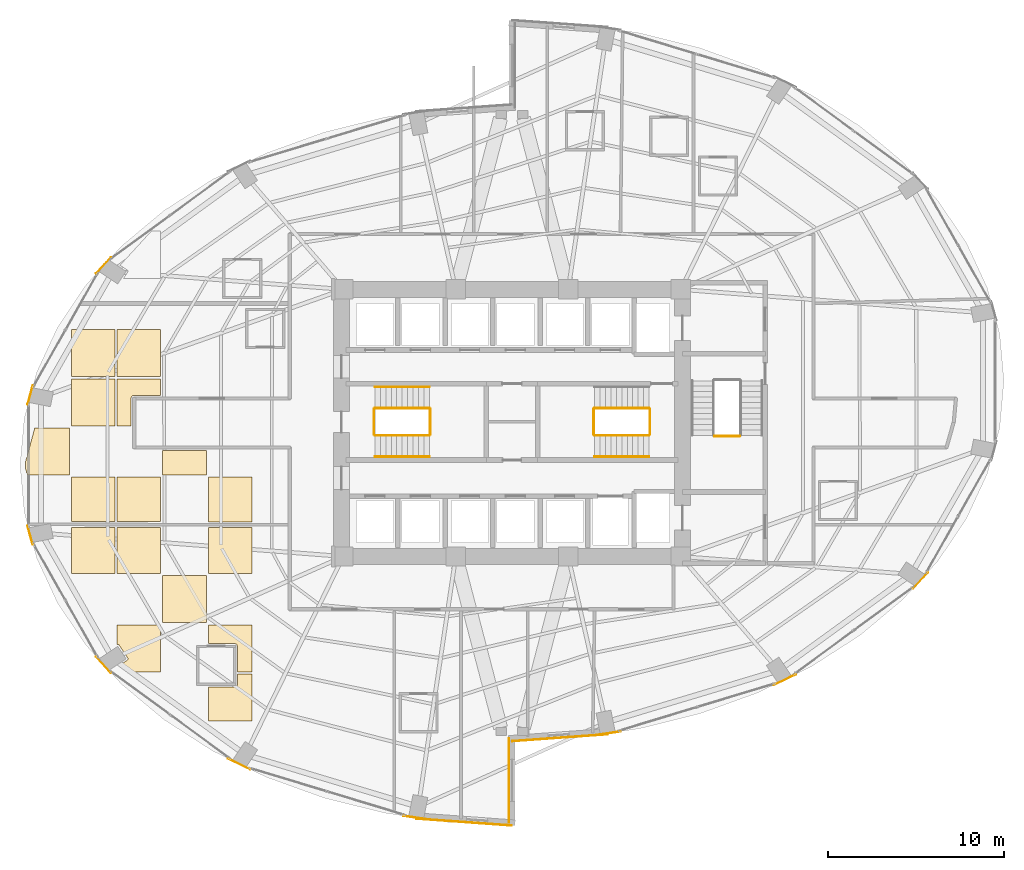
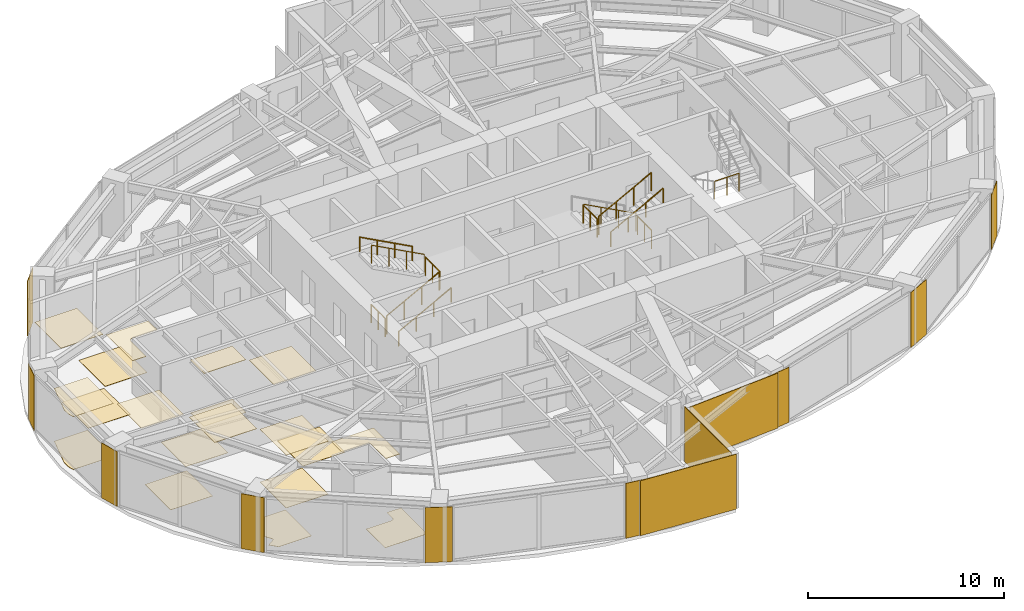
# One storey, part 24 of 25: 31 coverings, 12 railings.
"""IFC4 building model written with IfcOpenShell, lengths in metres."""

from ifc_helpers import new_model, si_unit, direction, frame, origin, origin_2d, place, context, subcontext, project, spatial, polyline, rectangle, circle, outline, extrude, material, layer, layer_set, type_object, element, save


model = new_model("IFC4")

# Units and contexts
model_context = context("Model", 3, precision=1e-05, world=origin(), true_north=direction((0.0, 1.0)))
body_context = subcontext(model_context, "Body", "Model", "MODEL_VIEW")
ifc_project = project(units=[si_unit("LENGTHUNIT", "METRE"), si_unit("AREAUNIT", "SQUARE_METRE"), si_unit("VOLUMEUNIT", "CUBIC_METRE"), si_unit("PLANEANGLEUNIT", "RADIAN"), si_unit("MASSUNIT", "GRAM", prefix="KILO")], contexts=[model_context])

# Site, building, storey
site_placement = place(None, origin())
site = spatial("IfcSite", under=ifc_project, at=site_placement, CompositionType="ELEMENT")
building_placement = place(site_placement, origin())
building = spatial("IfcBuilding", under=site, at=building_placement, Name="Lazwardi Medical Tower", CompositionType="ELEMENT")
storey_placement = place(building_placement, frame((0.0, 0.0, 32.49609375)))
storey = spatial("IfcBuildingStorey", under=building, at=storey_placement, Name="L07", CompositionType="ELEMENT", Elevation=32.49609375)

# Coverings
ifc_material_1 = material(Name="Anodised bronze aluminium cassette cladding", Category="aluminium")
ifc_layer_1 = layer(ifc_material_1, 0.030029296875)
ifc_layer_set_1 = layer_set([ifc_layer_1], Name="Anodised bronze aluminium cassette cladding")
covering_type_1 = type_object("IfcCoveringType", Name="COV-CLD-BRZ", PredefinedType="CLADDING", material=ifc_layer_set_1)
covering_1_placement = place(storey_placement, frame((41.454345703125, 10.33251953125, 0.0), z_axis=(0.0, 0.0, 1.0), x_axis=(0.98957259946, 0.144034962415, 0.0)))
element("IfcCovering", 1, at=covering_1_placement, inside=storey, type_object=covering_type_1, Name="L07 Mega-column bronze cassette cover M01", PredefinedType="CLADDING", context=body_context, shape_type="SweptSolid", body=[
    extrude(rectangle(XDim=1.49951171875, YDim=0.030029296875, at=origin_2d()), origin(), (0.0, 0.0, 1.0), 3.427978515625),
])
covering_2_placement = place(storey_placement, frame((51.532470703125, 13.3876953125, 0.0), z_axis=(0.0, 0.0, 1.0), x_axis=(0.898334492373, 0.439312121178, 0.0)))
element("IfcCovering", 2, at=covering_2_placement, inside=storey, type_object=covering_type_1, Name="L07 Mega-column bronze cassette cover M02", PredefinedType="CLADDING", context=body_context, shape_type="SweptSolid", body=[
    extrude(rectangle(XDim=1.400390625, YDim=0.030029296875, at=origin_2d()), origin(), (0.0, 0.0, 1.0), 3.427978515625),
])
for number, where, z_axis, x_axis, name in (
    (3, (59.24609375, 19.03271484375, 0.0), (0.0, 0.0, 1.0), (0.674252120961, 0.738501237223, 0.0), "L07 Mega-column bronze cassette cover M03"),
    (4, (12.75390625, 36.96728515625, 0.0), (0.0, 0.0, 1.0), (-0.674252120961, -0.738501237223, 0.0), "L07 Mega-column bronze cassette cover M11"),
):
    element("IfcCovering", number, at=place(storey_placement, frame(where, z_axis=z_axis, x_axis=x_axis)), inside=storey, type_object=covering_type_1, Name=name, PredefinedType="CLADDING", context=body_context, shape_type="SweptSolid", body=[
        extrude(rectangle(XDim=1.24658203125, YDim=0.030029296875, at=origin_2d()), origin(), (0.0, 0.0, 1.0), 3.427978515625),
    ])
for number, where, z_axis, x_axis, name in (
    (5, (8.579345703125, 29.591796875, 0.0), (0.0, 0.0, 1.0), (-0.262283496593, -0.964990863902, 0.0), "L07 Mega-column bronze cassette cover M12"),
    (6, (8.579345703125, 21.6083984375, 0.0), (0.0, 0.0, 1.0), (0.262283496593, -0.964990863902, 0.0), "L07 Mega-column bronze cassette cover M13"),
):
    element("IfcCovering", number, at=place(storey_placement, frame(where, z_axis=z_axis, x_axis=x_axis)), inside=storey, type_object=covering_type_1, Name=name, PredefinedType="CLADDING", context=body_context, shape_type="SweptSolid", body=[
        extrude(rectangle(XDim=1.12548828125, YDim=0.030029296875, at=origin_2d()), origin(), (0.0, 0.0, 1.0), 3.427978515625),
    ])
covering_3_placement = place(storey_placement, frame((12.75390625, 14.232666015625, 0.0), z_axis=(0.0, 0.0, 1.0), x_axis=(0.674252120961, -0.738501237223, 0.0)))
element("IfcCovering", 7, at=covering_3_placement, inside=storey, type_object=covering_type_1, Name="L07 Mega-column bronze cassette cover M14", PredefinedType="CLADDING", context=body_context, shape_type="SweptSolid", body=[
    extrude(rectangle(XDim=1.24658203125, YDim=0.030029296875, at=origin_2d()), origin(), (0.0, 0.0, 1.0), 3.427978515625),
])
covering_4_placement = place(storey_placement, frame((20.467529296875, 8.587646484375, 0.0), z_axis=(0.0, 0.0, 1.0), x_axis=(0.898334492373, -0.439312121178, 0.0)))
element("IfcCovering", 8, at=covering_4_placement, inside=storey, type_object=covering_type_1, Name="L07 Mega-column bronze cassette cover M15", PredefinedType="CLADDING", context=body_context, shape_type="SweptSolid", body=[
    extrude(rectangle(XDim=1.400390625, YDim=0.030029296875, at=origin_2d()), origin(), (0.0, 0.0, 1.0), 3.427978515625),
])
covering_5_placement = place(storey_placement, frame((30.545654296875, 5.53271484375, 0.0), z_axis=(0.0, 0.0, 1.0), x_axis=(0.98957259946, -0.144034962415, 0.0)))
element("IfcCovering", 9, at=covering_5_placement, inside=storey, type_object=covering_type_1, Name="L07 Mega-column bronze cassette cover M16", PredefinedType="CLADDING", context=body_context, shape_type="SweptSolid", body=[
    extrude(rectangle(XDim=1.49951171875, YDim=0.030029296875, at=origin_2d()), origin(), (0.0, 0.0, 1.0), 3.427978515625),
])
ifc_material_2 = material(Name="Turquoise glazed ceramic tilework cladding", Category="masonry")
ifc_layer_2 = layer(ifc_material_2, 0.034912109375)
ifc_layer_set_2 = layer_set([ifc_layer_2], Name="Turquoise glazed ceramic tilework cladding")
covering_type_2 = type_object("IfcCoveringType", Name="COV-CLD-TRQ", PredefinedType="CLADDING", material=ifc_layer_set_2)
covering_6_placement = place(storey_placement, frame((38.728271484375, 10.080322265625, 0.0), z_axis=(0.0, 0.0, 1.0), x_axis=(0.997421404513, 0.071767275412, 0.0)))
element("IfcCovering", 10, at=covering_6_placement, inside=storey, type_object=covering_type_2, Name="L07 Turquoise glazed ceramic tilework cladding", PredefinedType="CLADDING", context=body_context, shape_type="SweptSolid", body=[
    extrude(rectangle(XDim=5.4453125, YDim=0.034912109375, at=origin_2d()), origin(), (0.0, 0.0, 1.0), 3.427978515625),
])
covering_7_placement = place(storey_placement, frame((33.271484375, 5.280517578125, 0.0), z_axis=(0.0, 0.0, 1.0), x_axis=(0.997420903458, -0.071774238726, 0.0)))
element("IfcCovering", 11, at=covering_7_placement, inside=storey, type_object=covering_type_2, Name="L07 Turquoise glazed ceramic tilework cladding", PredefinedType="CLADDING", context=body_context, shape_type="SweptSolid", body=[
    extrude(rectangle(XDim=5.44482421875, YDim=0.034912109375, at=origin_2d()), origin(), (0.0, 0.0, 1.0), 3.427978515625),
])
covering_8_placement = place(storey_placement, frame((35.824462890625, 7.659912109375, 0.0), z_axis=(0.0, 0.0, 1.0), x_axis=(0.0, 1.0, 0.0)))
element("IfcCovering", 12, at=covering_8_placement, inside=storey, type_object=covering_type_2, Name="L07 Turquoise glazed ceramic tilework iwan panel", PredefinedType="CLADDING", context=body_context, shape_type="SweptSolid", body=[
    extrude(rectangle(XDim=4.800048828125, YDim=0.034912109375, at=origin_2d()), origin(), (0.0, 0.0, 1.0), 3.427978515625),
])
ifc_material_3 = material(Name="Acoustic mineral fibre tile")
ifc_layer_3 = layer(ifc_material_3, 0.02490234375)
ifc_layer_set_3 = layer_set([ifc_layer_3], Name="Acoustic mineral fibre tile")
covering_type_3 = type_object("IfcCoveringType", Name="COV-CLG-01", PredefinedType="CEILING", material=ifc_layer_set_3)
covering_9_placement = place(storey_placement, frame((0.0, 0.0, 3.282958984375)))
element("IfcCovering", 13, at=covering_9_placement, inside=storey, type_object=covering_type_3, Name="L07 Clinical Acoustic Ceiling 1", PredefinedType="CEILING", context=body_context, shape_type="SweptSolid", body=[
    extrude(outline(polyline([(8.838134765625, 27.71240234375), (8.322998046875, 25.8203125), (8.322998046875, 25.379638671875), (8.41748046875, 25.032470703125), (10.802978515625, 25.032470703125), (10.802978515625, 27.71240234375), (8.838134765625, 27.71240234375)])), origin(), (0.0, 0.0, 1.0), 0.02490234375),
])
covering_10_placement = place(storey_placement, frame((0.0, 0.0, 3.282958984375)))
element("IfcCovering", 14, at=covering_10_placement, inside=storey, type_object=covering_type_3, Name="L07 Clinical Acoustic Ceiling 2", PredefinedType="CEILING", context=body_context, shape_type="SweptSolid", body=[
    extrude(outline(polyline([(10.9228515625, 22.391357421875), (13.40283203125, 22.385986328125), (13.40283203125, 24.91259765625), (10.9228515625, 24.91259765625), (10.9228515625, 22.391357421875)])), origin(), (0.0, 0.0, 1.0), 0.02490234375),
])
covering_11_placement = place(storey_placement, frame((0.0, 0.0, 3.282958984375)))
element("IfcCovering", 15, at=covering_11_placement, inside=storey, type_object=covering_type_3, Name="L07 Clinical Acoustic Ceiling 3", PredefinedType="CEILING", context=body_context, shape_type="SweptSolid", body=[
    extrude(outline(polyline([(13.40283203125, 30.632568359375), (13.40283203125, 33.3125), (10.9228515625, 33.3125), (10.9228515625, 30.632568359375), (13.40283203125, 30.632568359375)])), origin(), (0.0, 0.0, 1.0), 0.02490234375),
])
covering_12_placement = place(storey_placement, frame((0.0, 0.0, 3.282958984375)))
element("IfcCovering", 16, at=covering_12_placement, inside=storey, type_object=covering_type_3, Name="L07 Clinical Acoustic Ceiling 4", PredefinedType="CEILING", context=body_context, shape_type="SweptSolid", body=[
    extrude(outline(polyline([(16.0029296875, 22.050537109375), (13.52294921875, 22.055908203125), (13.52294921875, 19.4326171875), (16.0029296875, 19.4326171875), (16.0029296875, 22.050537109375)])), origin(), (0.0, 0.0, 1.0), 0.02490234375),
])
covering_13_placement = place(storey_placement, frame((0.0, 0.0, 3.282958984375)))
element("IfcCovering", 17, at=covering_13_placement, inside=storey, type_object=covering_type_3, Name="L07 Clinical Acoustic Ceiling 5", PredefinedType="CEILING", context=body_context, shape_type="SweptSolid", body=[
    extrude(outline(polyline([(14.324951171875, 27.83251953125), (14.324951171875, 29.39990234375), (14.3251953125, 29.404296875), (14.32568359375, 29.41357421875), (14.326416015625, 29.42041015625), (14.32763671875, 29.4296875), (14.3291015625, 29.43798828125), (14.33154296875, 29.447265625), (14.33349609375, 29.4541015625), (14.336669921875, 29.462890625), (14.340087890625, 29.470703125), (14.343994140625, 29.479248046875), (14.34765625, 29.486083984375), (14.352294921875, 29.493896484375), (14.35693359375, 29.500732421875), (14.362548828125, 29.50830078125), (14.3671875, 29.513916015625), (14.373291015625, 29.520751953125), (14.37939453125, 29.526611328125), (14.38623046875, 29.532958984375), (14.391845703125, 29.53759765625), (14.3994140625, 29.543212890625), (14.406005859375, 29.547607421875), (14.4140625, 29.552490234375), (14.4208984375, 29.555908203125), (14.42919921875, 29.56005859375), (14.43701171875, 29.563232421875), (14.44580078125, 29.56640625), (14.452880859375, 29.568603515625), (14.4619140625, 29.57080078125), (14.47021484375, 29.572509765625), (14.4794921875, 29.57373046875), (14.486328125, 29.574462890625), (14.49560546875, 29.574951171875), (14.5, 29.574951171875), (16.0029296875, 29.574951171875), (16.0029296875, 30.512451171875), (13.52294921875, 30.512451171875), (13.52294921875, 27.83251953125), (14.324951171875, 27.83251953125)])), origin(), (0.0, 0.0, 1.0), 0.02490234375),
])
covering_14_placement = place(storey_placement, frame((0.0, 0.0, 3.282958984375)))
element("IfcCovering", 18, at=covering_14_placement, inside=storey, type_object=covering_type_3, Name="L07 Clinical Acoustic Ceiling 7", PredefinedType="CEILING", context=body_context, shape_type="SweptSolid", body=[
    extrude(outline(polyline([(18.602783203125, 16.632568359375), (18.602783203125, 19.3125), (16.122802734375, 19.3125), (16.122802734375, 16.632568359375), (18.602783203125, 16.632568359375)])), origin(), (0.0, 0.0, 1.0), 0.02490234375),
])
covering_15_placement = place(storey_placement, frame((0.0, 0.0, 3.282958984375)))
element("IfcCovering", 19, at=covering_15_placement, inside=storey, type_object=covering_type_3, Name="L07 Clinical Acoustic Ceiling 8", PredefinedType="CEILING", context=body_context, shape_type="SweptSolid", body=[
    extrude(outline(polyline([(18.602783203125, 26.425048828125), (16.122802734375, 26.425048828125), (16.122802734375, 25.032470703125), (18.602783203125, 25.032470703125), (18.602783203125, 26.425048828125)])), origin(), (0.0, 0.0, 1.0), 0.02490234375),
])
covering_16_placement = place(storey_placement, frame((0.0, 0.0, 3.282958984375)))
element("IfcCovering", 20, at=covering_16_placement, inside=storey, type_object=covering_type_3, Name="L07 Clinical Acoustic Ceiling 9", PredefinedType="CEILING", context=body_context, shape_type="SweptSolid", body=[
    extrude(outline(polyline([(18.722900390625, 15.435302734375), (20.218017578125, 15.435302734375), (20.221435546875, 15.435302734375), (20.228271484375, 15.43505859375), (20.236328125, 15.43408203125), (20.2431640625, 15.43310546875), (20.251220703125, 15.431640625), (20.258056640625, 15.429931640625), (20.265380859375, 15.427734375), (20.271728515625, 15.42529296875), (20.278564453125, 15.422607421875), (20.284912109375, 15.419677734375), (20.29248046875, 15.41552734375), (20.298583984375, 15.411865234375), (20.30419921875, 15.408203125), (20.309814453125, 15.404052734375), (20.316650390625, 15.3984375), (20.321533203125, 15.393798828125), (20.326171875, 15.38916015625), (20.330810546875, 15.384033203125), (20.336181640625, 15.377685546875), (20.34033203125, 15.3720703125), (20.344970703125, 15.364990234375), (20.348388671875, 15.359130859375), (20.352294921875, 15.352294921875), (20.35498046875, 15.34619140625), (20.35791015625, 15.33935546875), (20.360107421875, 15.3330078125), (20.3623046875, 15.325439453125), (20.364013671875, 15.31884765625), (20.36572265625, 15.310791015625), (20.36669921875, 15.303955078125), (20.367431640625, 15.2958984375), (20.367919921875, 15.288818359375), (20.367919921875, 15.285400390625), (20.367919921875, 13.83251953125), (21.202880859375, 13.83251953125), (21.202880859375, 16.512451171875), (18.722900390625, 16.512451171875), (18.722900390625, 15.435302734375)])), origin(), (0.0, 0.0, 1.0), 0.02490234375),
])
covering_17_placement = place(storey_placement, frame((0.0, 0.0, 3.282958984375)))
element("IfcCovering", 21, at=covering_17_placement, inside=storey, type_object=covering_type_3, Name="L07 Clinical Acoustic Ceiling 10", PredefinedType="CEILING", context=body_context, shape_type="SweptSolid", body=[
    extrude(outline(polyline([(18.722900390625, 22.374755859375), (21.202880859375, 22.369384765625), (21.202880859375, 24.91259765625), (18.722900390625, 24.91259765625), (18.722900390625, 22.374755859375)])), origin(), (0.0, 0.0, 1.0), 0.02490234375),
])
ifc_material_4 = material(Name="Anti-static hospital vinyl sheet flooring")
ifc_layer_4 = layer(ifc_material_4, 0.014892578125)
ifc_layer_set_4 = layer_set([ifc_layer_4], Name="Anti-static hospital vinyl sheet flooring")
covering_type_4 = type_object("IfcCoveringType", Name="COV-FLR-01", PredefinedType="FLOORING", material=ifc_layer_set_4)
covering_18_placement = place(storey_placement, origin())
element("IfcCovering", 22, at=covering_18_placement, inside=storey, type_object=covering_type_4, Name="L07 Clinical Vinyl Flooring 1", PredefinedType="FLOORING", context=body_context, shape_type="SweptSolid", body=[
    extrude(outline(polyline([(8.838134765625, 27.71240234375), (8.322998046875, 25.8203125), (8.322998046875, 25.379638671875), (8.41748046875, 25.032470703125), (10.802978515625, 25.032470703125), (10.802978515625, 27.71240234375), (8.838134765625, 27.71240234375)])), origin(), (0.0, 0.0, 1.0), 0.014892578125),
])
covering_19_placement = place(storey_placement, origin())
element("IfcCovering", 23, at=covering_19_placement, inside=storey, type_object=covering_type_4, Name="L07 Clinical Vinyl Flooring 2", PredefinedType="FLOORING", context=body_context, shape_type="SweptSolid", body=[
    extrude(outline(polyline([(13.40283203125, 22.055908203125), (10.9228515625, 22.061279296875), (10.9228515625, 19.4326171875), (13.40283203125, 19.4326171875), (13.40283203125, 22.055908203125)])), origin(), (0.0, 0.0, 1.0), 0.014892578125),
])
covering_20_placement = place(storey_placement, origin())
element("IfcCovering", 24, at=covering_20_placement, inside=storey, type_object=covering_type_4, Name="L07 Clinical Vinyl Flooring 3", PredefinedType="FLOORING", context=body_context, shape_type="SweptSolid", body=[
    extrude(outline(polyline([(13.40283203125, 27.83251953125), (13.40283203125, 30.512451171875), (10.9228515625, 30.512451171875), (10.9228515625, 27.83251953125), (13.40283203125, 27.83251953125)])), origin(), (0.0, 0.0, 1.0), 0.014892578125),
])
covering_21_placement = place(storey_placement, origin())
element("IfcCovering", 25, at=covering_21_placement, inside=storey, type_object=covering_type_4, Name="L07 Clinical Vinyl Flooring 4", PredefinedType="FLOORING", context=body_context, shape_type="SweptSolid", body=[
    extrude(outline(polyline([(13.52294921875, 15.385498046875), (13.52880859375, 15.388916015625), (13.535888671875, 15.39208984375), (13.543212890625, 15.39501953125), (13.55078125, 15.396728515625), (13.55859375, 15.39794921875), (13.56640625, 15.398193359375), (13.57421875, 15.39794921875), (13.58203125, 15.396728515625), (13.589599609375, 15.39501953125), (13.596923828125, 15.39208984375), (13.60400390625, 15.388916015625), (13.61083984375, 15.384765625), (13.6171875, 15.380126953125), (13.623046875, 15.375), (13.628173828125, 15.369140625), (13.6328125, 15.36279296875), (14.1328125, 14.614501953125), (14.136962890625, 14.607666015625), (14.140380859375, 14.6005859375), (14.14306640625, 14.59326171875), (14.14501953125, 14.585693359375), (14.14599609375, 14.577880859375), (14.146484375, 14.570068359375), (14.14599609375, 14.562255859375), (14.14501953125, 14.554443359375), (14.14306640625, 14.546875), (14.140380859375, 14.539306640625), (14.136962890625, 14.5322265625), (14.1328125, 14.525634765625), (14.128173828125, 14.519287109375), (14.123046875, 14.513427734375), (14.1171875, 14.50830078125), (14.11083984375, 14.50341796875), (13.69677734375, 14.226806640625), (14.057373046875, 13.83251953125), (16.0029296875, 13.83251953125), (16.0029296875, 16.512451171875), (13.52294921875, 16.512451171875), (13.52294921875, 15.385498046875)])), origin(), (0.0, 0.0, 1.0), 0.014892578125),
])
covering_22_placement = place(storey_placement, origin())
element("IfcCovering", 26, at=covering_22_placement, inside=storey, type_object=covering_type_4, Name="L07 Clinical Vinyl Flooring 5", PredefinedType="FLOORING", context=body_context, shape_type="SweptSolid", body=[
    extrude(outline(polyline([(13.52294921875, 22.3857421875), (16.0029296875, 22.380615234375), (16.0029296875, 24.91259765625), (13.52294921875, 24.91259765625), (13.52294921875, 22.3857421875)])), origin(), (0.0, 0.0, 1.0), 0.014892578125),
])
covering_23_placement = place(storey_placement, origin())
element("IfcCovering", 27, at=covering_23_placement, inside=storey, type_object=covering_type_4, Name="L07 Clinical Vinyl Flooring 6", PredefinedType="FLOORING", context=body_context, shape_type="SweptSolid", body=[
    extrude(outline(polyline([(16.0029296875, 30.632568359375), (16.0029296875, 33.3125), (13.52294921875, 33.3125), (13.52294921875, 30.632568359375), (16.0029296875, 30.632568359375)])), origin(), (0.0, 0.0, 1.0), 0.014892578125),
])
covering_24_placement = place(storey_placement, origin())
element("IfcCovering", 28, at=covering_24_placement, inside=storey, type_object=covering_type_4, Name="L07 Clinical Vinyl Flooring 7", PredefinedType="FLOORING", context=body_context, shape_type="SweptSolid", body=[
    extrude(outline(polyline([(18.602783203125, 16.632568359375), (18.602783203125, 19.3125), (16.122802734375, 19.3125), (16.122802734375, 16.632568359375), (18.602783203125, 16.632568359375)])), origin(), (0.0, 0.0, 1.0), 0.014892578125),
])
covering_25_placement = place(storey_placement, origin())
element("IfcCovering", 29, at=covering_25_placement, inside=storey, type_object=covering_type_4, Name="L07 Clinical Vinyl Flooring 8", PredefinedType="FLOORING", context=body_context, shape_type="SweptSolid", body=[
    extrude(outline(polyline([(18.602783203125, 26.425048828125), (16.122802734375, 26.425048828125), (16.122802734375, 25.032470703125), (18.602783203125, 25.032470703125), (18.602783203125, 26.425048828125)])), origin(), (0.0, 0.0, 1.0), 0.014892578125),
])
covering_26_placement = place(storey_placement, origin())
element("IfcCovering", 30, at=covering_26_placement, inside=storey, type_object=covering_type_4, Name="L07 Clinical Vinyl Flooring 9", PredefinedType="FLOORING", context=body_context, shape_type="SweptSolid", body=[
    extrude(outline(polyline([(20.367919921875, 13.71240234375), (20.367919921875, 13.12548828125), (20.367919921875, 13.121826171875), (20.367431640625, 13.114990234375), (20.36669921875, 13.10693359375), (20.36572265625, 13.10009765625), (20.364013671875, 13.092041015625), (20.3623046875, 13.08544921875), (20.3603515625, 13.078369140625), (20.35791015625, 13.072021484375), (20.35498046875, 13.064697265625), (20.352294921875, 13.05859375), (20.348388671875, 13.051513671875), (20.344970703125, 13.045654296875), (20.34033203125, 13.038818359375), (20.336181640625, 13.033203125), (20.330810546875, 13.02685546875), (20.326171875, 13.021728515625), (20.321533203125, 13.01708984375), (20.316650390625, 13.012451171875), (20.309814453125, 13.0068359375), (20.30419921875, 13.002685546875), (20.297607421875, 12.998291015625), (20.291748046875, 12.994873046875), (20.284912109375, 12.9912109375), (20.278564453125, 12.98828125), (20.272705078125, 12.98583984375), (20.266357421875, 12.9833984375), (20.2568359375, 12.980712890625), (20.250244140625, 12.97900390625), (20.2431640625, 12.977783203125), (20.236328125, 12.976806640625), (20.2294921875, 12.975830078125), (20.222412109375, 12.9755859375), (20.218017578125, 12.975341796875), (18.722900390625, 12.975341796875), (18.722900390625, 11.032470703125), (21.202880859375, 11.032470703125), (21.202880859375, 13.71240234375), (20.367919921875, 13.71240234375)])), origin(), (0.0, 0.0, 1.0), 0.014892578125),
])
covering_27_placement = place(storey_placement, origin())
element("IfcCovering", 31, at=covering_27_placement, inside=storey, type_object=covering_type_4, Name="L07 Clinical Vinyl Flooring 10", PredefinedType="FLOORING", context=body_context, shape_type="SweptSolid", body=[
    extrude(outline(polyline([(21.202880859375, 22.03955078125), (18.722900390625, 22.044921875), (18.722900390625, 19.4326171875), (21.202880859375, 19.4326171875), (21.202880859375, 22.03955078125)])), origin(), (0.0, 0.0, 1.0), 0.014892578125),
])

# Railings
ifc_material_5 = material(Name="Stainless steel Grade 316", Category="steel")
railing_type_1 = type_object("IfcRailingType", Name="RLG-GRD-1150", PredefinedType="GUARDRAIL", material=ifc_material_5)
railing_1_placement = place(storey_placement, frame((28.199951171875, 27.2900390625, 0.165771484375)))
element("IfcRailing", 32, at=railing_1_placement, inside=storey, type_object=railing_type_1, Name="L07 ST1 stair guard 1", PredefinedType="GUARDRAIL", context=body_context, shape_type="SweptSolid", body=[
    extrude(circle(Radius=0.02392578125, at=origin_2d()), frame((0.0, 0.0, 1.1259765625), z_axis=(0.881783298633, 0.0, 0.471654761719), x_axis=(0.0, 1.0, 0.0)), (0.0, 0.0, 1.0), 3.515625),
    extrude(circle(Radius=0.02099609375, at=origin_2d()), origin(), (0.0, 0.0, 1.0), 1.099853515625),
    extrude(circle(Radius=0.02099609375, at=origin_2d()), frame((1.033447265625, 0.0, 0.552734375)), (0.0, 0.0, 1.0), 1.099853515625),
    extrude(circle(Radius=0.02099609375, at=origin_2d()), frame((2.066650390625, 0.0, 1.10546875)), (0.0, 0.0, 1.0), 1.099853515625),
    extrude(circle(Radius=0.02099609375, at=origin_2d()), frame((3.10009765625, 0.0, 1.658203125)), (0.0, 0.0, 1.0), 1.099853515625),
])
railing_2_placement = place(storey_placement, frame((31.35009765625, 27.340087890625, 1.823974609375)))
element("IfcRailing", 33, at=railing_2_placement, inside=storey, type_object=railing_type_1, Name="L07 ST1 stair guard 2", PredefinedType="GUARDRAIL", context=body_context, shape_type="SweptSolid", body=[
    extrude(circle(Radius=0.02392578125, at=origin_2d()), frame((0.0, 0.0, 1.1259765625), z_axis=(0.0, 1.0, 0.0), x_axis=(-1.0, 0.0, 0.0)), (0.0, 0.0, 1.0), 1.43994140625),
    extrude(circle(Radius=0.02099609375, at=origin_2d()), origin(), (0.0, 0.0, 1.0), 1.099853515625),
    extrude(circle(Radius=0.02099609375, at=origin_2d()), frame((0.0, 0.719970703125, 0.0)), (0.0, 0.0, 1.0), 1.099853515625),
    extrude(circle(Radius=0.02099609375, at=origin_2d()), frame((0.0, 1.43994140625, 0.0)), (0.0, 0.0, 1.0), 1.099853515625),
])
railing_3_placement = place(storey_placement, frame((31.300048828125, 28.830078125, 1.98974609375)))
element("IfcRailing", 34, at=railing_3_placement, inside=storey, type_object=railing_type_1, Name="L07 ST1 stair guard 3", PredefinedType="GUARDRAIL", context=body_context, shape_type="SweptSolid", body=[
    extrude(circle(Radius=0.02392578125, at=origin_2d()), frame((0.0, 0.0, 1.1259765625), z_axis=(-0.881783298633, 0.0, 0.471654761719), x_axis=(0.0, -1.0, 0.0)), (0.0, 0.0, 1.0), 3.515625),
    extrude(circle(Radius=0.02099609375, at=origin_2d()), origin(), (0.0, 0.0, 1.0), 1.099853515625),
    extrude(circle(Radius=0.02099609375, at=origin_2d()), frame((-1.033447265625, 0.0, 0.552734375)), (0.0, 0.0, 1.0), 1.099853515625),
    extrude(circle(Radius=0.02099609375, at=origin_2d()), frame((-2.066650390625, 0.0, 1.10546875)), (0.0, 0.0, 1.0), 1.099853515625),
    extrude(circle(Radius=0.02099609375, at=origin_2d()), frame((-3.10009765625, 0.0, 1.658203125)), (0.0, 0.0, 1.0), 1.099853515625),
])
railing_4_placement = place(storey_placement, frame((28.14990234375, 27.340087890625, 0.0)))
element("IfcRailing", 35, at=railing_4_placement, inside=storey, type_object=railing_type_1, Name="L07 ST1 stair guard 4", PredefinedType="GUARDRAIL", context=body_context, shape_type="SweptSolid", body=[
    extrude(circle(Radius=0.02392578125, at=origin_2d()), frame((0.0, 0.0, 1.1259765625), z_axis=(0.0, 1.0, 0.0), x_axis=(-1.0, 0.0, 0.0)), (0.0, 0.0, 1.0), 1.43994140625),
    extrude(circle(Radius=0.02099609375, at=origin_2d()), origin(), (0.0, 0.0, 1.0), 1.099853515625),
    extrude(circle(Radius=0.02099609375, at=origin_2d()), frame((0.0, 0.719970703125, 0.0)), (0.0, 0.0, 1.0), 1.099853515625),
    extrude(circle(Radius=0.02099609375, at=origin_2d()), frame((0.0, 1.43994140625, 0.0)), (0.0, 0.0, 1.0), 1.099853515625),
])
railing_5_placement = place(storey_placement, frame((43.800048828125, 28.830078125, 0.165771484375)))
element("IfcRailing", 36, at=railing_5_placement, inside=storey, type_object=railing_type_1, Name="L07 ST2 stair guard 1", PredefinedType="GUARDRAIL", context=body_context, shape_type="SweptSolid", body=[
    extrude(circle(Radius=0.02392578125, at=origin_2d()), frame((0.0, 0.0, 1.1259765625), z_axis=(-0.881783298633, 0.0, 0.471654761719), x_axis=(0.0, -1.0, 0.0)), (0.0, 0.0, 1.0), 3.515625),
    extrude(circle(Radius=0.02099609375, at=origin_2d()), origin(), (0.0, 0.0, 1.0), 1.099853515625),
    extrude(circle(Radius=0.02099609375, at=origin_2d()), frame((-1.033447265625, 0.0, 0.552734375)), (0.0, 0.0, 1.0), 1.099853515625),
    extrude(circle(Radius=0.02099609375, at=origin_2d()), frame((-2.066650390625, 0.0, 1.10546875)), (0.0, 0.0, 1.0), 1.099853515625),
    extrude(circle(Radius=0.02099609375, at=origin_2d()), frame((-3.10009765625, 0.0, 1.658203125)), (0.0, 0.0, 1.0), 1.099853515625),
])
railing_6_placement = place(storey_placement, frame((40.64990234375, 28.780029296875, 1.823974609375)))
element("IfcRailing", 37, at=railing_6_placement, inside=storey, type_object=railing_type_1, Name="L07 ST2 stair guard 2", PredefinedType="GUARDRAIL", context=body_context, shape_type="SweptSolid", body=[
    extrude(circle(Radius=0.02392578125, at=origin_2d()), frame((0.0, 0.0, 1.1259765625), z_axis=(0.0, -1.0, 0.0), x_axis=(1.0, 0.0, 0.0)), (0.0, 0.0, 1.0), 1.43994140625),
    extrude(circle(Radius=0.02099609375, at=origin_2d()), origin(), (0.0, 0.0, 1.0), 1.099853515625),
    extrude(circle(Radius=0.02099609375, at=origin_2d()), frame((0.0, -0.719970703125, 0.0)), (0.0, 0.0, 1.0), 1.099853515625),
    extrude(circle(Radius=0.02099609375, at=origin_2d()), frame((0.0, -1.43994140625, 0.0)), (0.0, 0.0, 1.0), 1.099853515625),
])
railing_7_placement = place(storey_placement, frame((40.699951171875, 27.2900390625, 1.98974609375)))
element("IfcRailing", 38, at=railing_7_placement, inside=storey, type_object=railing_type_1, Name="L07 ST2 stair guard 3", PredefinedType="GUARDRAIL", context=body_context, shape_type="SweptSolid", body=[
    extrude(circle(Radius=0.02392578125, at=origin_2d()), frame((0.0, 0.0, 1.1259765625), z_axis=(0.881783298633, 0.0, 0.471654761719), x_axis=(0.0, 1.0, 0.0)), (0.0, 0.0, 1.0), 3.515625),
    extrude(circle(Radius=0.02099609375, at=origin_2d()), origin(), (0.0, 0.0, 1.0), 1.099853515625),
    extrude(circle(Radius=0.02099609375, at=origin_2d()), frame((1.033447265625, 0.0, 0.552734375)), (0.0, 0.0, 1.0), 1.099853515625),
    extrude(circle(Radius=0.02099609375, at=origin_2d()), frame((2.066650390625, 0.0, 1.10546875)), (0.0, 0.0, 1.0), 1.099853515625),
    extrude(circle(Radius=0.02099609375, at=origin_2d()), frame((3.10009765625, 0.0, 1.658203125)), (0.0, 0.0, 1.0), 1.099853515625),
])
railing_8_placement = place(storey_placement, frame((43.85009765625, 28.780029296875, 0.0)))
element("IfcRailing", 39, at=railing_8_placement, inside=storey, type_object=railing_type_1, Name="L07 ST2 stair guard 4", PredefinedType="GUARDRAIL", context=body_context, shape_type="SweptSolid", body=[
    extrude(circle(Radius=0.02392578125, at=origin_2d()), frame((0.0, 0.0, 1.1259765625), z_axis=(0.0, -1.0, 0.0), x_axis=(1.0, 0.0, 0.0)), (0.0, 0.0, 1.0), 1.43994140625),
    extrude(circle(Radius=0.02099609375, at=origin_2d()), origin(), (0.0, 0.0, 1.0), 1.099853515625),
    extrude(circle(Radius=0.02099609375, at=origin_2d()), frame((0.0, -0.719970703125, 0.0)), (0.0, 0.0, 1.0), 1.099853515625),
    extrude(circle(Radius=0.02099609375, at=origin_2d()), frame((0.0, -1.43994140625, 0.0)), (0.0, 0.0, 1.0), 1.099853515625),
])
railing_9_placement = place(storey_placement, frame((47.52001953125, 27.25, 1.823974609375)))
element("IfcRailing", 40, at=railing_9_placement, inside=storey, type_object=railing_type_1, Name="L07 ST3 stair guard 2", PredefinedType="GUARDRAIL", context=body_context, shape_type="SweptSolid", body=[
    extrude(circle(Radius=0.02392578125, at=origin_2d()), frame((0.0, 0.0, 1.1259765625), z_axis=(1.0, 0.0, 0.0), x_axis=(0.0, 1.0, 0.0)), (0.0, 0.0, 1.0), 1.43994140625),
    extrude(circle(Radius=0.02099609375, at=origin_2d()), origin(), (0.0, 0.0, 1.0), 1.099853515625),
    extrude(circle(Radius=0.02099609375, at=origin_2d()), frame((0.719970703125, 0.0, 0.0)), (0.0, 0.0, 1.0), 1.099853515625),
    extrude(circle(Radius=0.02099609375, at=origin_2d()), frame((1.43994140625, 0.0, 0.0)), (0.0, 0.0, 1.0), 1.099853515625),
])
railing_type_2 = type_object("IfcRailingType", Name="RLG-HND-920", PredefinedType="HANDRAIL", material=ifc_material_5)
railing_10_placement = place(storey_placement, frame((28.199951171875, 26.070068359375, 0.165771484375)))
element("IfcRailing", 41, at=railing_10_placement, inside=storey, type_object=railing_type_2, Name="L07 ST1 stair handrail 1", PredefinedType="HANDRAIL", context=body_context, shape_type="SweptSolid", body=[
    extrude(circle(Radius=0.02392578125, at=origin_2d()), frame((0.0, 0.0, 0.8857421875), z_axis=(0.881783298633, 0.0, 0.471654761719), x_axis=(0.0, 1.0, 0.0)), (0.0, 0.0, 1.0), 3.515625),
    extrude(circle(Radius=0.02099609375, at=origin_2d()), origin(), (0.0, 0.0, 1.0), 0.85986328125),
    extrude(circle(Radius=0.02099609375, at=origin_2d()), frame((1.033447265625, 0.0, 0.552734375)), (0.0, 0.0, 1.0), 0.85986328125),
    extrude(circle(Radius=0.02099609375, at=origin_2d()), frame((2.066650390625, 0.0, 1.10546875)), (0.0, 0.0, 1.0), 0.85986328125),
    extrude(circle(Radius=0.02099609375, at=origin_2d()), frame((3.10009765625, 0.0, 1.658203125)), (0.0, 0.0, 1.0), 0.85986328125),
])
railing_11_placement = place(storey_placement, frame((31.300048828125, 30.050048828125, 1.98974609375)))
element("IfcRailing", 42, at=railing_11_placement, inside=storey, type_object=railing_type_2, Name="L07 ST1 stair handrail 2", PredefinedType="HANDRAIL", context=body_context, shape_type="SweptSolid", body=[
    extrude(circle(Radius=0.02392578125, at=origin_2d()), frame((0.0, 0.0, 0.8857421875), z_axis=(-0.881783298633, 0.0, 0.471654761719), x_axis=(0.0, -1.0, 0.0)), (0.0, 0.0, 1.0), 3.515625),
    extrude(circle(Radius=0.02099609375, at=origin_2d()), origin(), (0.0, 0.0, 1.0), 0.85986328125),
    extrude(circle(Radius=0.02099609375, at=origin_2d()), frame((-1.033447265625, 0.0, 0.552734375)), (0.0, 0.0, 1.0), 0.85986328125),
    extrude(circle(Radius=0.02099609375, at=origin_2d()), frame((-2.066650390625, 0.0, 1.10546875)), (0.0, 0.0, 1.0), 0.85986328125),
    extrude(circle(Radius=0.02099609375, at=origin_2d()), frame((-3.10009765625, 0.0, 1.658203125)), (0.0, 0.0, 1.0), 0.85986328125),
])
railing_12_placement = place(storey_placement, frame((40.699951171875, 26.070068359375, 1.98974609375)))
element("IfcRailing", 43, at=railing_12_placement, inside=storey, type_object=railing_type_2, Name="L07 ST2 stair handrail 2", PredefinedType="HANDRAIL", context=body_context, shape_type="SweptSolid", body=[
    extrude(circle(Radius=0.02392578125, at=origin_2d()), frame((0.0, 0.0, 0.8857421875), z_axis=(0.881783298633, 0.0, 0.471654761719), x_axis=(0.0, 1.0, 0.0)), (0.0, 0.0, 1.0), 3.515625),
    extrude(circle(Radius=0.02099609375, at=origin_2d()), origin(), (0.0, 0.0, 1.0), 0.85986328125),
    extrude(circle(Radius=0.02099609375, at=origin_2d()), frame((1.033447265625, 0.0, 0.552734375)), (0.0, 0.0, 1.0), 0.85986328125),
    extrude(circle(Radius=0.02099609375, at=origin_2d()), frame((2.066650390625, 0.0, 1.10546875)), (0.0, 0.0, 1.0), 0.85986328125),
    extrude(circle(Radius=0.02099609375, at=origin_2d()), frame((3.10009765625, 0.0, 1.658203125)), (0.0, 0.0, 1.0), 0.85986328125),
])

save(model, "model.ifc")
